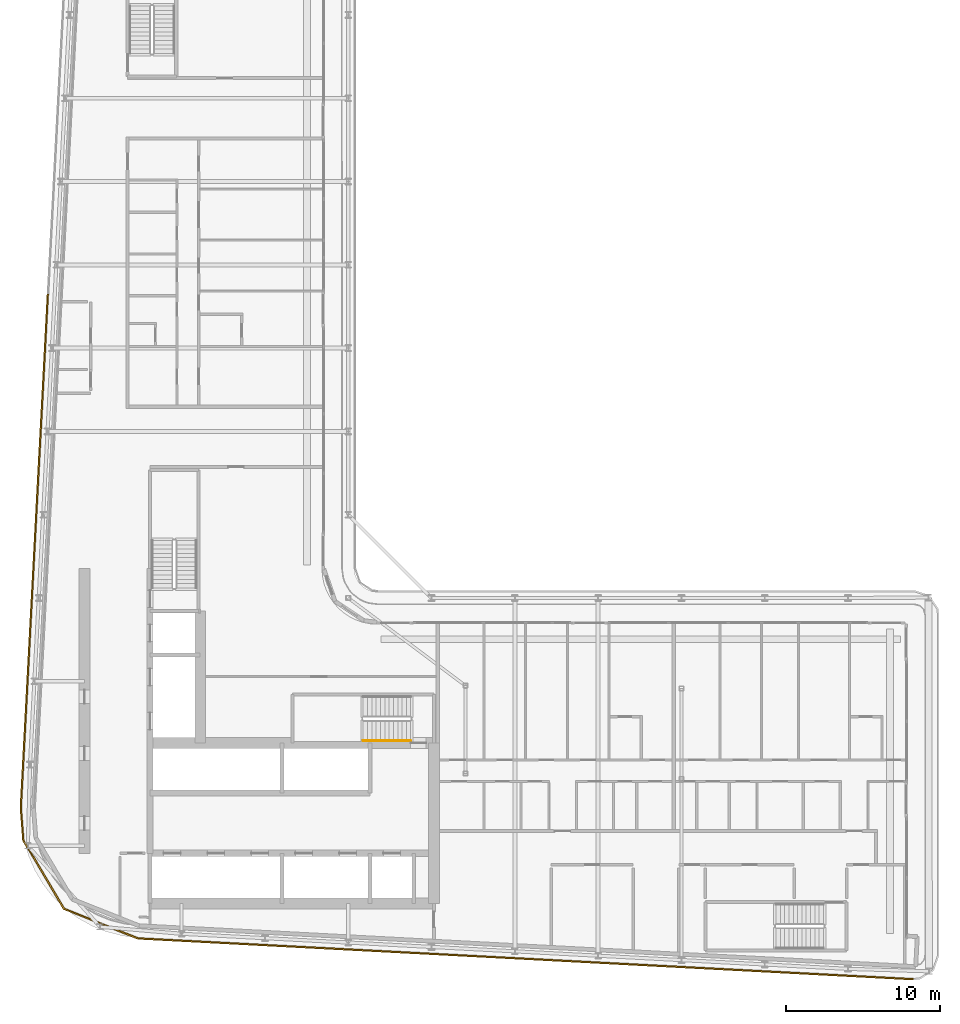
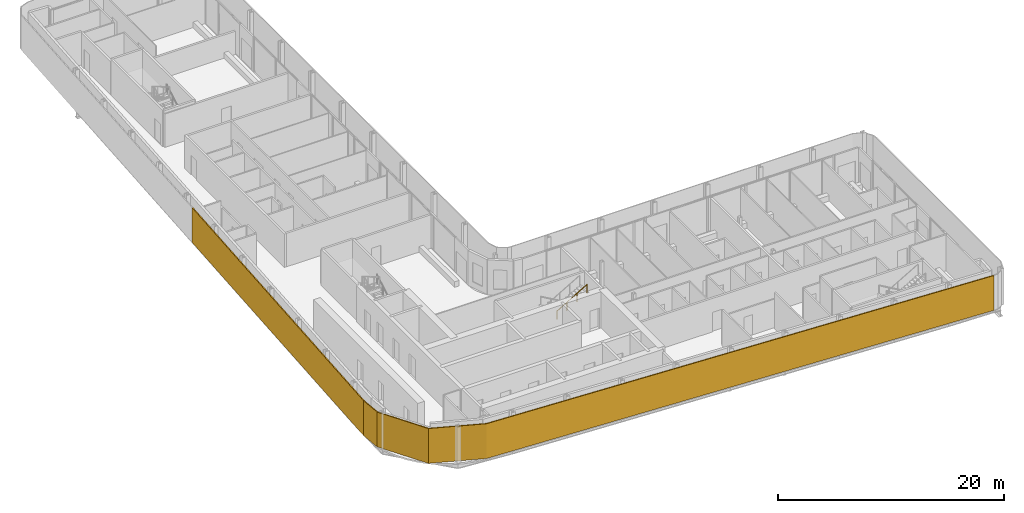
# One storey, part 17 of 23: 2 shading devices, 1 railing.
"""IFC4 building model written with IfcOpenShell, lengths in metres."""

from ifc_helpers import new_model, si_unit, direction, frame, origin, origin_2d, place, context, subcontext, project, spatial, polyline, rectangle, circle, outline, extrude, material, layer, layer_set, type_object, element, save


model = new_model("IFC4")

# Units and contexts
model_context = context("Model", 3, precision=1e-05, world=origin(), true_north=direction((0.0, 1.0)))
body_context = subcontext(model_context, "Body", "Model", "MODEL_VIEW")
ifc_project = project(units=[si_unit("LENGTHUNIT", "METRE"), si_unit("AREAUNIT", "SQUARE_METRE"), si_unit("VOLUMEUNIT", "CUBIC_METRE"), si_unit("PLANEANGLEUNIT", "RADIAN"), si_unit("MASSUNIT", "GRAM", prefix="KILO")], contexts=[model_context])

# Site, building, storey
site_placement = place(None, origin())
site = spatial("IfcSite", under=ifc_project, at=site_placement, CompositionType="ELEMENT")
building_placement = place(site_placement, origin())
building = spatial("IfcBuilding", under=site, at=building_placement, Name="Kheshtan School and Residences Tower", CompositionType="ELEMENT")
storey_placement = place(building_placement, frame((0.0, 0.0, 239.60009765625)))
storey = spatial("IfcBuildingStorey", under=building, at=storey_placement, Name="L56", CompositionType="ELEMENT", Elevation=239.60009765625)

# Shading devices
ifc_material_1 = material(Name="Terracotta baguette, extruded ceramic", Category="masonry")
ifc_layer = layer(ifc_material_1, 0.10009765625)
ifc_layer_set = layer_set([ifc_layer], Name="Ledge screen, terracotta baguettes")
shading_device_type = type_object("IfcShadingDeviceType", Name="Ledge screen, terracotta baguettes", PredefinedType="USERDEFINED", material=ifc_layer_set)
shading_device_1_placement = place(storey_placement, origin())
element("IfcShadingDevice", 1, at=shading_device_1_placement, inside=storey, type_object=shading_device_type, Name="Screen L56 3", ObjectType="BAGUETTE", PredefinedType="USERDEFINED", context=body_context, shape_type="SweptSolid", body=[
    extrude(outline(polyline([(84.220947265625, 20.93603515625), (33.989013671875, 23.580078125), (29.2119140625, 25.486083984375), (26.583984375, 29.906982421875), (26.419921875, 31.989013671875), (26.320068359375, 31.98095703125), (26.486083984375, 29.8759765625), (29.14306640625, 25.406005859375), (33.967041015625, 23.48095703125), (84.216064453125, 20.8359375), (84.220947265625, 20.93603515625)])), origin(), (0.0, 0.0, 1.0), 3.75),
])
shading_device_2_placement = place(storey_placement, frame((27.24609375, 48.638916015625, 0.0), z_axis=(0.0, 0.0, 1.0), x_axis=(0.052562536748, 0.998617634398, 0.0)))
element("IfcShadingDevice", 2, at=shading_device_2_placement, inside=storey, type_object=shading_device_type, Name="Screen L56 4", ObjectType="BAGUETTE", PredefinedType="USERDEFINED", context=body_context, shape_type="SweptSolid", body=[
    extrude(rectangle(XDim=33.341064453125, YDim=0.10009765625, at=origin_2d()), origin(), (0.0, 0.0, 1.0), 3.75),
])

# Railing
ifc_material_2 = material(Name="Stainless steel handrail", Category="steel")
railing_type = type_object("IfcRailingType", Name="Stair handrail 900", PredefinedType="HANDRAIL", material=ifc_material_2)
railing_placement = place(storey_placement, frame((48.570068359375, 36.35009765625, 2.1123046875)))
element("IfcRailing", 3, at=railing_placement, inside=storey, type_object=railing_type, Name="L56 ST1 stair handrail 2", PredefinedType="HANDRAIL", context=body_context, shape_type="SweptSolid", body=[
    extrude(circle(Radius=0.02392578125, at=origin_2d()), frame((0.0, 0.0, 0.8759765625), z_axis=(0.864873446163, 0.0, 0.501989962173), x_axis=(0.0, 1.0, 0.0)), (0.0, 0.0, 1.0), 3.56103515625),
    extrude(circle(Radius=0.02099609375, at=origin_2d()), origin(), (0.0, 0.0, 1.0), 0.851806640625),
    extrude(circle(Radius=0.02099609375, at=origin_2d()), frame((1.026611328125, 0.0, 0.595947265625)), (0.0, 0.0, 1.0), 0.851806640625),
    extrude(circle(Radius=0.02099609375, at=origin_2d()), frame((2.05322265625, 0.0, 1.191650390625)), (0.0, 0.0, 1.0), 0.851806640625),
    extrude(circle(Radius=0.02099609375, at=origin_2d()), frame((3.079833984375, 0.0, 1.78759765625)), (0.0, 0.0, 1.0), 0.851806640625),
])

save(model, "model.ifc")
